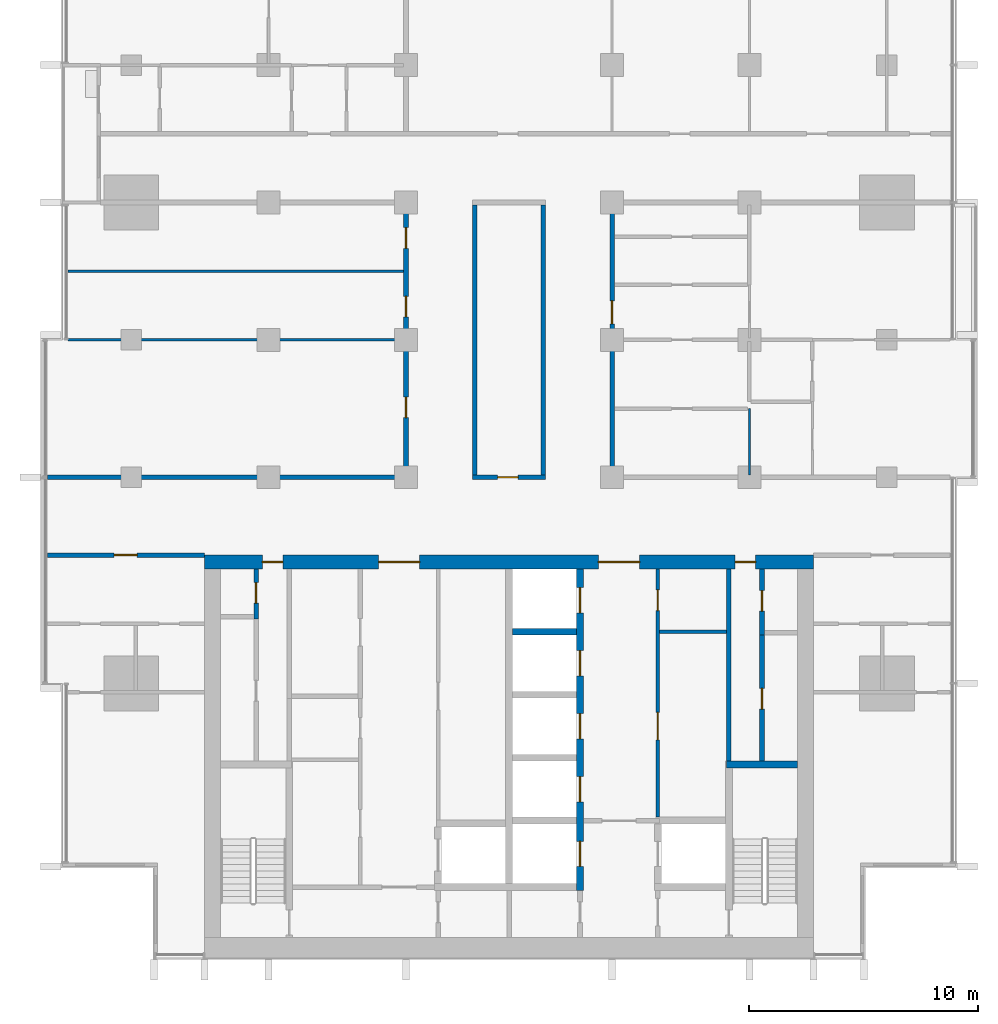
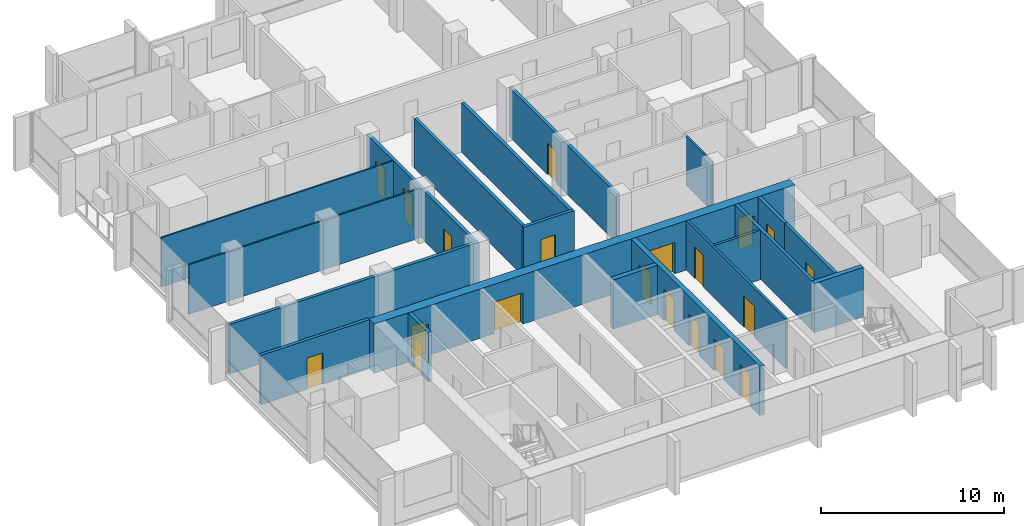
# One storey, part 8 of 16: 20 doors, 20 walls, 20 openings.
"""IFC4 building model written with IfcOpenShell, lengths in metres."""

from ifc_helpers import new_model, si_unit, direction, frame, frame_2d, origin, place, context, subcontext, project, spatial, rectangle, extrude, material, layer, layer_set, type_object, element, fill, save


model = new_model("IFC4")

# Units and contexts
model_context = context("Model", 3, precision=1e-05, world=origin(), true_north=direction((0.0, 1.0)))
body_context = subcontext(model_context, "Body", "Model", "MODEL_VIEW")
ifc_project = project(units=[si_unit("LENGTHUNIT", "METRE"), si_unit("AREAUNIT", "SQUARE_METRE"), si_unit("VOLUMEUNIT", "CUBIC_METRE"), si_unit("PLANEANGLEUNIT", "RADIAN"), si_unit("MASSUNIT", "GRAM", prefix="KILO")], contexts=[model_context])

# Site, building, storey
site_placement = place(None, origin())
site = spatial("IfcSite", under=ifc_project, at=site_placement, CompositionType="ELEMENT")
building_placement = place(site_placement, origin())
building = spatial("IfcBuilding", under=site, at=building_placement, Name="Finial Court Residences", CompositionType="ELEMENT")
storey_placement = place(building_placement, frame((0.0, 0.0, 185.300048828125)))
storey = spatial("IfcBuildingStorey", under=building, at=storey_placement, Name="L46", CompositionType="ELEMENT", Elevation=185.300048828125)

# Wall, openings, doors
ifc_material_1 = material(Name="Concrete C70/85", Category="concrete")
ifc_layer_1 = layer(ifc_material_1, 0.60009765625)
ifc_layer_set_1 = layer_set([ifc_layer_1], Name="Core outer wall 600 Concrete C70/85")
wall_type_1 = type_object("IfcWallType", Name="Core outer wall 600 Concrete C70/85", PredefinedType="SHEAR", material=ifc_layer_set_1)
wall_1_placement = place(storey_placement, frame((-13.300048828125, -8.199951171875, 0.0), z_axis=(0.0, 0.0, 1.0), x_axis=(1.0, 0.0, 0.0)))
wall_1 = element("IfcWall", 1, at=wall_1_placement, inside=storey, type_object=wall_type_1, Name="Core outer wall L46-02", PredefinedType="SHEAR", context=body_context, shape_type="SweptSolid", body=[
    extrude(rectangle(XDim=26.60009765625, YDim=0.60009765625, at=frame_2d((13.300048828125, 0.0))), origin(), (0.0, 0.0, 1.0), 3.300048828125),
])
opening_1_placement = place(wall_1_placement, frame((7.60009765625, 0.0, 0.0)))
opening_1 = element("IfcOpeningElement", 2, at=opening_1_placement, cuts=wall_1, Name="Opening L46-C04", PredefinedType="OPENING", context=body_context, shape_type="SweptSolid", body=[
    extrude(rectangle(XDim=1.800048828125, YDim=2.10009765625, at=frame_2d((0.89990234375, 1.050048828125))), frame((0.0, 0.31005859375, 0.0), z_axis=(0.0, -1.0, 0.0), x_axis=(1.0, 0.0, 0.0)), (0.0, 0.0, 1.0), 0.6201171875),
])
opening_2_placement = place(wall_1_placement, frame((17.199951171875, 0.0, 0.0)))
opening_2 = element("IfcOpeningElement", 3, at=opening_2_placement, cuts=wall_1, Name="Opening L46-C05", PredefinedType="OPENING", context=body_context, shape_type="SweptSolid", body=[
    extrude(rectangle(XDim=1.800048828125, YDim=2.10009765625, at=frame_2d((0.89990234375, 1.050048828125))), frame((0.0, 0.31005859375, 0.0), z_axis=(0.0, -1.0, 0.0), x_axis=(1.0, 0.0, 0.0)), (0.0, 0.0, 1.0), 0.6201171875),
])
opening_3_placement = place(wall_1_placement, frame((2.52490234375, 0.0, 0.0)))
opening_3 = element("IfcOpeningElement", 4, at=opening_3_placement, cuts=wall_1, Name="Opening L46-C10", PredefinedType="OPENING", context=body_context, shape_type="SweptSolid", body=[
    extrude(rectangle(XDim=0.89990234375, YDim=2.10009765625, at=frame_2d((0.449951171875, 1.050048828125))), frame((0.0, 0.31005859375, 0.0), z_axis=(0.0, -1.0, 0.0), x_axis=(1.0, 0.0, 0.0)), (0.0, 0.0, 1.0), 0.6201171875),
])
opening_4_placement = place(wall_1_placement, frame((23.175048828125, 0.0, 0.0)))
opening_4 = element("IfcOpeningElement", 5, at=opening_4_placement, cuts=wall_1, Name="Opening L46-C11", PredefinedType="OPENING", context=body_context, shape_type="SweptSolid", body=[
    extrude(rectangle(XDim=0.89990234375, YDim=2.10009765625, at=frame_2d((0.449951171875, 1.050048828125))), frame((0.0, 0.31005859375, 0.0), z_axis=(0.0, -1.0, 0.0), x_axis=(1.0, 0.0, 0.0)), (0.0, 0.0, 1.0), 0.6201171875),
])
ifc_material_2 = material(Name="Steel fire door", Category="steel")
door_type_1 = type_object("IfcDoorType", Name="Lift lobby door 1800 x 2100 EI 60", OperationType="DOUBLE_DOOR_SINGLE_SWING", PredefinedType="DOOR", material=ifc_material_2)
door_1_placement = place(opening_1_placement, origin())
door_1 = element("IfcDoor", 6, at=door_1_placement, inside=storey, type_object=door_type_1, Name="Lift lobby door L46-C04", OperationType="DOUBLE_DOOR_SINGLE_SWING", OverallHeight=2.10009765625, OverallWidth=1.800048828125, PredefinedType="DOOR", context=body_context, shape_type="SweptSolid", body=[
    extrude(rectangle(XDim=1.800048828125, YDim=2.10009765625, at=frame_2d((0.89990234375, 1.050048828125))), frame((0.0, 0.02490234375, 0.0), z_axis=(0.0, -1.0, 0.0), x_axis=(1.0, 0.0, 0.0)), (0.0, 0.0, 1.0), 0.050048828125),
])
fill(opening_1, door_1)
door_2_placement = place(opening_2_placement, origin())
door_2 = element("IfcDoor", 7, at=door_2_placement, inside=storey, type_object=door_type_1, Name="Lift lobby door L46-C05", OperationType="DOUBLE_DOOR_SINGLE_SWING", OverallHeight=2.10009765625, OverallWidth=1.800048828125, PredefinedType="DOOR", context=body_context, shape_type="SweptSolid", body=[
    extrude(rectangle(XDim=1.800048828125, YDim=2.10009765625, at=frame_2d((0.89990234375, 1.050048828125))), frame((0.0, 0.02490234375, 0.0), z_axis=(0.0, -1.0, 0.0), x_axis=(1.0, 0.0, 0.0)), (0.0, 0.0, 1.0), 0.050048828125),
])
fill(opening_2, door_2)
door_type_2 = type_object("IfcDoorType", Name="Riser room door 900 x 2100 EI 90", OperationType="NOTDEFINED", PredefinedType="DOOR", material=ifc_material_2)
door_3_placement = place(opening_3_placement, origin())
door_3 = element("IfcDoor", 8, at=door_3_placement, inside=storey, type_object=door_type_2, Name="Riser room door L46-C10", OperationType="SINGLE_SWING_RIGHT", OverallHeight=2.10009765625, OverallWidth=0.89990234375, PredefinedType="DOOR", context=body_context, shape_type="SweptSolid", body=[
    extrude(rectangle(XDim=0.89990234375, YDim=2.10009765625, at=frame_2d((0.449951171875, 1.050048828125))), frame((0.0, 0.02490234375, 0.0), z_axis=(0.0, -1.0, 0.0), x_axis=(1.0, 0.0, 0.0)), (0.0, 0.0, 1.0), 0.050048828125),
])
fill(opening_3, door_3)
door_4_placement = place(opening_4_placement, origin())
door_4 = element("IfcDoor", 9, at=door_4_placement, inside=storey, type_object=door_type_2, Name="Riser room door L46-C11", OperationType="SINGLE_SWING_LEFT", OverallHeight=2.10009765625, OverallWidth=0.89990234375, PredefinedType="DOOR", context=body_context, shape_type="SweptSolid", body=[
    extrude(rectangle(XDim=0.89990234375, YDim=2.10009765625, at=frame_2d((0.449951171875, 1.050048828125))), frame((0.0, 0.02490234375, 0.0), z_axis=(0.0, -1.0, 0.0), x_axis=(1.0, 0.0, 0.0)), (0.0, 0.0, 1.0), 0.050048828125),
])
fill(opening_4, door_4)

# Wall
ifc_material_3 = material(Name="Fire-rated gypsum board partition")
ifc_layer_2 = layer(ifc_material_3, 0.14990234375)
ifc_layer_set_2 = layer_set([ifc_layer_2], Name="Core room partition 150 EI 60")
wall_type_2 = type_object("IfcWallType", Name="Core room partition 150 EI 60", PredefinedType="PARTITIONING", material=ifc_layer_set_2)
wall_2_placement = place(storey_placement, frame((6.574951171875, -11.25, 0.0), z_axis=(0.0, 0.0, 1.0), x_axis=(1.0, 0.0, 0.0)))
element("IfcWall", 10, at=wall_2_placement, inside=storey, type_object=wall_type_2, Name="Core partition L46-16", PredefinedType="PARTITIONING", context=body_context, shape_type="SweptSolid", body=[
    extrude(rectangle(XDim=2.925048828125, YDim=0.14990234375, at=frame_2d((1.46240234375, 0.0))), origin(), (0.0, 0.0, 1.0), 3.300048828125),
])

# Wall, openings, doors
wall_3_placement = place(storey_placement, frame((6.5, -8.5, 0.0), z_axis=(0.0, 0.0, 1.0), x_axis=(0.0, -1.0, 0.0)))
wall_3 = element("IfcWall", 11, at=wall_3_placement, inside=storey, type_object=wall_type_2, Name="Core partition L46-34", PredefinedType="PARTITIONING", context=body_context, shape_type="SweptSolid", body=[
    extrude(rectangle(XDim=10.85009765625, YDim=0.14990234375, at=frame_2d((5.425048828125, 0.0))), origin(), (0.0, 0.0, 1.0), 3.300048828125),
])
opening_5_placement = place(wall_3_placement, frame((6.27490234375, 0.0, 0.0)))
opening_5 = element("IfcOpeningElement", 12, at=opening_5_placement, cuts=wall_3, Name="Opening L46-C18", PredefinedType="OPENING", context=body_context, shape_type="SweptSolid", body=[
    extrude(rectangle(XDim=1.199951171875, YDim=2.10009765625, at=frame_2d((0.60009765625, 1.050048828125))), frame((0.0, 0.0849609375, 0.0), z_axis=(0.0, -1.0, 0.0), x_axis=(1.0, 0.0, 0.0)), (0.0, 0.0, 1.0), 0.169921875),
])
opening_6_placement = place(wall_3_placement, frame((0.925048828125, 0.0, 0.0)))
opening_6 = element("IfcOpeningElement", 13, at=opening_6_placement, cuts=wall_3, Name="Opening L46-C19", PredefinedType="OPENING", context=body_context, shape_type="SweptSolid", body=[
    extrude(rectangle(XDim=0.89990234375, YDim=2.10009765625, at=frame_2d((0.449951171875, 1.050048828125))), frame((0.0, 0.0849609375, 0.0), z_axis=(0.0, -1.0, 0.0), x_axis=(1.0, 0.0, 0.0)), (0.0, 0.0, 1.0), 0.169921875),
])
door_type_3 = type_object("IfcDoorType", Name="Core room door 1200 x 2100 EI 60", OperationType="NOTDEFINED", PredefinedType="DOOR", material=ifc_material_2)
door_5_placement = place(opening_5_placement, origin())
door_5 = element("IfcDoor", 14, at=door_5_placement, inside=storey, type_object=door_type_3, Name="Core room door L46-C18", OperationType="SINGLE_SWING_RIGHT", OverallHeight=2.10009765625, OverallWidth=1.199951171875, PredefinedType="DOOR", context=body_context, shape_type="SweptSolid", body=[
    extrude(rectangle(XDim=1.199951171875, YDim=2.10009765625, at=frame_2d((0.60009765625, 1.050048828125))), frame((0.0, 0.02490234375, 0.0), z_axis=(0.0, -1.0, 0.0), x_axis=(1.0, 0.0, 0.0)), (0.0, 0.0, 1.0), 0.050048828125),
])
fill(opening_5, door_5)
door_type_4 = type_object("IfcDoorType", Name="Core room door 900 x 2100 EI 60", OperationType="NOTDEFINED", PredefinedType="DOOR", material=ifc_material_2)
door_6_placement = place(opening_6_placement, origin())
door_6 = element("IfcDoor", 15, at=door_6_placement, inside=storey, type_object=door_type_4, Name="Core room door L46-C19", OperationType="SINGLE_SWING_RIGHT", OverallHeight=2.10009765625, OverallWidth=0.89990234375, PredefinedType="DOOR", context=body_context, shape_type="SweptSolid", body=[
    extrude(rectangle(XDim=0.89990234375, YDim=2.10009765625, at=frame_2d((0.449951171875, 1.050048828125))), frame((0.0, 0.02490234375, 0.0), z_axis=(0.0, -1.0, 0.0), x_axis=(1.0, 0.0, 0.0)), (0.0, 0.0, 1.0), 0.050048828125),
])
fill(opening_6, door_6)

# Wall, opening, door
ifc_material_4 = material(Name="Gypsum board")
ifc_layer_3 = layer(ifc_material_4, 0.02490234375)
ifc_material_5 = material(Name="Acoustic mineral wool in double frame")
ifc_layer_4 = layer(ifc_material_5, 0.14990234375)
ifc_layer_5 = layer(ifc_material_4, 0.02490234375)
ifc_layer_set_3 = layer_set([ifc_layer_3, ifc_layer_4, ifc_layer_5], Name="Corridor wall 200, 1 hour")
wall_type_3 = type_object("IfcWallType", Name="Corridor wall 200, 1 hour", PredefinedType="PARTITIONING", material=ifc_layer_set_3)
wall_4_placement = place(storey_placement, frame((-20.16259765625, -7.89990234375, 0.0), z_axis=(0.0, 0.0, 1.0), x_axis=(1.0, 0.0, 0.0)))
wall_4 = element("IfcWall", 16, at=wall_4_placement, inside=storey, type_object=wall_type_3, Name="Partition L46-004", PredefinedType="PARTITIONING", context=body_context, shape_type="SweptSolid", body=[
    extrude(rectangle(XDim=6.862548828125, YDim=0.199951171875, at=frame_2d((3.43115234375, 0.0))), origin(), (0.0, 0.0, 1.0), 3.300048828125),
])
opening_7_placement = place(wall_4_placement, frame((2.9130859375, 0.0, 0.0)))
opening_7 = element("IfcOpeningElement", 17, at=opening_7_placement, cuts=wall_4, Name="Opening L46-D007", PredefinedType="OPENING", context=body_context, shape_type="SweptSolid", body=[
    extrude(rectangle(XDim=1.0, YDim=2.10009765625, at=frame_2d((0.5, 1.050048828125))), frame((0.0, 0.10986328125, 0.0), z_axis=(0.0, -1.0, 0.0), x_axis=(1.0, 0.0, 0.0)), (0.0, 0.0, 1.0), 0.219970703125),
])
ifc_material_6 = material(Name="Timber door leaf in hollow metal frame", Category="wood")
door_type_5 = type_object("IfcDoorType", Name="Fire door set 1000 x 2100, 30 minutes", OperationType="SINGLE_SWING_LEFT", PredefinedType="DOOR", material=ifc_material_6)
door_7_placement = place(opening_7_placement, origin())
door_7 = element("IfcDoor", 18, at=door_7_placement, inside=storey, type_object=door_type_5, Name="Door L46-D007", OperationType="SINGLE_SWING_LEFT", OverallHeight=2.10009765625, OverallWidth=1.0, PredefinedType="DOOR", context=body_context, shape_type="SweptSolid", body=[
    extrude(rectangle(XDim=1.0, YDim=2.10009765625, at=frame_2d((0.5, 1.050048828125))), frame((0.0, 0.02490234375, 0.0), z_axis=(0.0, -1.0, 0.0), x_axis=(1.0, 0.0, 0.0)), (0.0, 0.0, 1.0), 0.050048828125),
])
fill(opening_7, door_7)

# Wall
wall_5_placement = place(storey_placement, frame((-20.16259765625, -4.5, 0.0), z_axis=(0.0, 0.0, 1.0), x_axis=(1.0, 0.0, 0.0)))
element("IfcWall", 19, at=wall_5_placement, inside=storey, type_object=wall_type_3, Name="Partition L46-006", PredefinedType="PARTITIONING", context=body_context, shape_type="SweptSolid", body=[
    extrude(rectangle(XDim=15.7626953125, YDim=0.199951171875, at=frame_2d((7.88134765625, 0.0))), origin(), (0.0, 0.0, 1.0), 3.300048828125),
])

# Wall, opening, door
wall_6_placement = place(storey_placement, frame((-1.60009765625, -4.5, 0.0), z_axis=(0.0, 0.0, 1.0), x_axis=(1.0, 0.0, 0.0)))
wall_6 = element("IfcWall", 20, at=wall_6_placement, inside=storey, type_object=wall_type_3, Name="Partition L46-007", PredefinedType="PARTITIONING", context=body_context, shape_type="SweptSolid", body=[
    extrude(rectangle(XDim=3.2001953125, YDim=0.199951171875, at=frame_2d((1.60009765625, 0.0))), origin(), (0.0, 0.0, 1.0), 3.300048828125),
])
opening_8_placement = place(wall_6_placement, frame((1.10009765625, 0.0, 0.0)))
opening_8 = element("IfcOpeningElement", 21, at=opening_8_placement, cuts=wall_6, Name="Opening L46-D009", PredefinedType="OPENING", context=body_context, shape_type="SweptSolid", body=[
    extrude(rectangle(XDim=0.89990234375, YDim=2.10009765625, at=frame_2d((0.449951171875, 1.050048828125))), frame((0.0, 0.10986328125, 0.0), z_axis=(0.0, -1.0, 0.0), x_axis=(1.0, 0.0, 0.0)), (0.0, 0.0, 1.0), 0.219970703125),
])
door_type_6 = type_object("IfcDoorType", Name="Fire door set 900 x 2100, 30 minutes", OperationType="SINGLE_SWING_LEFT", PredefinedType="DOOR", material=ifc_material_6)
door_8_placement = place(opening_8_placement, origin())
door_8 = element("IfcDoor", 22, at=door_8_placement, inside=storey, type_object=door_type_6, Name="Door L46-D009", OperationType="SINGLE_SWING_RIGHT", OverallHeight=2.10009765625, OverallWidth=0.89990234375, PredefinedType="DOOR", context=body_context, shape_type="SweptSolid", body=[
    extrude(rectangle(XDim=0.89990234375, YDim=2.10009765625, at=frame_2d((0.449951171875, 1.050048828125))), frame((0.0, 0.02490234375, 0.0), z_axis=(0.0, -1.0, 0.0), x_axis=(1.0, 0.0, 0.0)), (0.0, 0.0, 1.0), 0.050048828125),
])
fill(opening_8, door_8)

# Wall, openings, doors
wall_7_placement = place(storey_placement, frame((-4.5, -4.39990234375, 0.0), z_axis=(0.0, 0.0, 1.0), x_axis=(0.0, 1.0, 0.0)))
wall_7 = element("IfcWall", 23, at=wall_7_placement, inside=storey, type_object=wall_type_3, Name="Partition L46-031", PredefinedType="PARTITIONING", context=body_context, shape_type="SweptSolid", body=[
    extrude(rectangle(XDim=11.7998046875, YDim=0.199951171875, at=frame_2d((5.89990234375, 0.0))), origin(), (0.0, 0.0, 1.0), 3.300048828125),
])
opening_9_placement = place(wall_7_placement, frame((2.5, 0.0, 0.0)))
opening_9 = element("IfcOpeningElement", 24, at=opening_9_placement, cuts=wall_7, Name="Opening L46-D026", PredefinedType="OPENING", context=body_context, shape_type="SweptSolid", body=[
    extrude(rectangle(XDim=0.89990234375, YDim=2.10009765625, at=frame_2d((0.449951171875, 1.050048828125))), frame((0.0, 0.10986328125, 0.0), z_axis=(0.0, -1.0, 0.0), x_axis=(1.0, 0.0, 0.0)), (0.0, 0.0, 1.0), 0.219970703125),
])
opening_10_placement = place(wall_7_placement, frame((6.89990234375, 0.0, 0.0)))
opening_10 = element("IfcOpeningElement", 25, at=opening_10_placement, cuts=wall_7, Name="Opening L46-D027", PredefinedType="OPENING", context=body_context, shape_type="SweptSolid", body=[
    extrude(rectangle(XDim=0.89990234375, YDim=2.10009765625, at=frame_2d((0.449951171875, 1.050048828125))), frame((0.0, 0.10986328125, 0.0), z_axis=(0.0, -1.0, 0.0), x_axis=(1.0, 0.0, 0.0)), (0.0, 0.0, 1.0), 0.219970703125),
])
opening_11_placement = place(wall_7_placement, frame((9.89990234375, 0.0, 0.0)))
opening_11 = element("IfcOpeningElement", 26, at=opening_11_placement, cuts=wall_7, Name="Opening L46-D028", PredefinedType="OPENING", context=body_context, shape_type="SweptSolid", body=[
    extrude(rectangle(XDim=0.89990234375, YDim=2.10009765625, at=frame_2d((0.449951171875, 1.050048828125))), frame((0.0, 0.10986328125, 0.0), z_axis=(0.0, -1.0, 0.0), x_axis=(1.0, 0.0, 0.0)), (0.0, 0.0, 1.0), 0.219970703125),
])
door_9_placement = place(opening_9_placement, origin())
door_9 = element("IfcDoor", 27, at=door_9_placement, inside=storey, type_object=door_type_6, Name="Door L46-D026", OperationType="SINGLE_SWING_RIGHT", OverallHeight=2.10009765625, OverallWidth=0.89990234375, PredefinedType="DOOR", context=body_context, shape_type="SweptSolid", body=[
    extrude(rectangle(XDim=0.89990234375, YDim=2.10009765625, at=frame_2d((0.449951171875, 1.050048828125))), frame((0.0, 0.02490234375, 0.0), z_axis=(0.0, -1.0, 0.0), x_axis=(1.0, 0.0, 0.0)), (0.0, 0.0, 1.0), 0.050048828125),
])
fill(opening_9, door_9)
door_10_placement = place(opening_10_placement, origin())
door_10 = element("IfcDoor", 28, at=door_10_placement, inside=storey, type_object=door_type_6, Name="Door L46-D027", OperationType="SINGLE_SWING_LEFT", OverallHeight=2.10009765625, OverallWidth=0.89990234375, PredefinedType="DOOR", context=body_context, shape_type="SweptSolid", body=[
    extrude(rectangle(XDim=0.89990234375, YDim=2.10009765625, at=frame_2d((0.449951171875, 1.050048828125))), frame((0.0, 0.02490234375, 0.0), z_axis=(0.0, -1.0, 0.0), x_axis=(1.0, 0.0, 0.0)), (0.0, 0.0, 1.0), 0.050048828125),
])
fill(opening_10, door_10)
door_11_placement = place(opening_11_placement, origin())
door_11 = element("IfcDoor", 29, at=door_11_placement, inside=storey, type_object=door_type_6, Name="Door L46-D028", OperationType="SINGLE_SWING_LEFT", OverallHeight=2.10009765625, OverallWidth=0.89990234375, PredefinedType="DOOR", context=body_context, shape_type="SweptSolid", body=[
    extrude(rectangle(XDim=0.89990234375, YDim=2.10009765625, at=frame_2d((0.449951171875, 1.050048828125))), frame((0.0, 0.02490234375, 0.0), z_axis=(0.0, -1.0, 0.0), x_axis=(1.0, 0.0, 0.0)), (0.0, 0.0, 1.0), 0.050048828125),
])
fill(opening_11, door_11)

# Walls
for number, where, z_axis, x_axis, name in (
    (30, (-1.5, -4.39990234375, 0.0), (0.0, 0.0, 1.0), (0.0, 1.0, 0.0), "Partition L46-033"),
    (31, (1.5, -4.39990234375, 0.0), (0.0, 0.0, 1.0), (0.0, 1.0, 0.0), "Partition L46-034"),
):
    element("IfcWall", number, at=place(storey_placement, frame(where, z_axis=z_axis, x_axis=x_axis)), inside=storey, type_object=wall_type_3, Name=name, PredefinedType="PARTITIONING", context=body_context, shape_type="SweptSolid", body=[
        extrude(rectangle(XDim=11.7998046875, YDim=0.199951171875, at=frame_2d((5.89990234375, 0.0))), origin(), (0.0, 0.0, 1.0), 3.300048828125),
    ])

# Wall, opening, door
wall_8_placement = place(storey_placement, frame((4.5, -4.39990234375, 0.0), z_axis=(0.0, 0.0, 1.0), x_axis=(0.0, 1.0, 0.0)))
wall_8 = element("IfcWall", 32, at=wall_8_placement, inside=storey, type_object=wall_type_3, Name="Partition L46-035", PredefinedType="PARTITIONING", context=body_context, shape_type="SweptSolid", body=[
    extrude(rectangle(XDim=11.7998046875, YDim=0.199951171875, at=frame_2d((5.89990234375, 0.0))), origin(), (0.0, 0.0, 1.0), 3.300048828125),
])
opening_12_placement = place(wall_8_placement, frame((6.60009765625, 0.0, 0.0)))
opening_12 = element("IfcOpeningElement", 33, at=opening_12_placement, cuts=wall_8, Name="Opening L46-D029", PredefinedType="OPENING", context=body_context, shape_type="SweptSolid", body=[
    extrude(rectangle(XDim=1.0, YDim=2.10009765625, at=frame_2d((0.5, 1.050048828125))), frame((0.0, 0.10986328125, 0.0), z_axis=(0.0, -1.0, 0.0), x_axis=(1.0, 0.0, 0.0)), (0.0, 0.0, 1.0), 0.219970703125),
])
door_12_placement = place(opening_12_placement, origin())
door_12 = element("IfcDoor", 34, at=door_12_placement, inside=storey, type_object=door_type_5, Name="Door L46-D029", OperationType="SINGLE_SWING_RIGHT", OverallHeight=2.10009765625, OverallWidth=1.0, PredefinedType="DOOR", context=body_context, shape_type="SweptSolid", body=[
    extrude(rectangle(XDim=1.0, YDim=2.10009765625, at=frame_2d((0.5, 1.050048828125))), frame((0.0, 0.02490234375, 0.0), z_axis=(0.0, -1.0, 0.0), x_axis=(1.0, 0.0, 0.0)), (0.0, 0.0, 1.0), 0.050048828125),
])
fill(opening_12, door_12)

# Walls
ifc_layer_6 = layer(ifc_material_4, 0.012451171875)
ifc_material_7 = material(Name="Mineral wool in light-gauge frame")
ifc_layer_7 = layer(ifc_material_7, 0.074951171875)
ifc_layer_8 = layer(ifc_material_4, 0.012451171875)
ifc_layer_set_4 = layer_set([ifc_layer_6, ifc_layer_7, ifc_layer_8], Name="Gypsum board partition 100")
wall_type_4 = type_object("IfcWallType", Name="Gypsum board partition 100", PredefinedType="PARTITIONING", material=ifc_layer_set_4)
for number, where, z_axis, x_axis, name in (
    (35, (-19.262451171875, 1.5, 0.0), (0.0, 0.0, 1.0), (1.0, 0.0, 0.0), "Partition L46-011"),
    (36, (-19.262451171875, 4.5, 0.0), (0.0, 0.0, 1.0), (1.0, 0.0, 0.0), "Partition L46-015"),
):
    element("IfcWall", number, at=place(storey_placement, frame(where, z_axis=z_axis, x_axis=x_axis)), inside=storey, type_object=wall_type_4, Name=name, PredefinedType="PARTITIONING", context=body_context, shape_type="SweptSolid", body=[
        extrude(rectangle(XDim=14.662353515625, YDim=0.10009765625, at=frame_2d((7.3310546875, 0.0))), origin(), (0.0, 0.0, 1.0), 3.300048828125),
    ])
wall_9_placement = place(storey_placement, frame((10.5, -4.39990234375, 0.0), z_axis=(0.0, 0.0, 1.0), x_axis=(0.0, 1.0, 0.0)))
element("IfcWall", 37, at=wall_9_placement, inside=storey, type_object=wall_type_4, Name="Partition L46-037", PredefinedType="PARTITIONING", context=body_context, shape_type="SweptSolid", body=[
    extrude(rectangle(XDim=2.89990234375, YDim=0.10009765625, at=frame_2d((1.449951171875, 0.0))), origin(), (0.0, 0.0, 1.0), 3.300048828125),
])
ifc_layer_9 = layer(ifc_material_1, 0.300048828125)
ifc_layer_set_5 = layer_set([ifc_layer_9], Name="Lift shaft and stair wall 300 Concrete C70/85")
wall_type_5 = type_object("IfcWallType", Name="Lift shaft and stair wall 300 Concrete C70/85", PredefinedType="SHEAR", material=ifc_layer_set_5)
wall_10_placement = place(storey_placement, frame((9.5, -17.050048828125, 0.0), z_axis=(0.0, 0.0, 1.0), x_axis=(1.0, 0.0, 0.0)))
element("IfcWall", 38, at=wall_10_placement, inside=storey, type_object=wall_type_5, Name="Core wall L46-09", PredefinedType="SHEAR", context=body_context, shape_type="SweptSolid", body=[
    extrude(rectangle(XDim=3.10009765625, YDim=0.300048828125, at=frame_2d((1.550048828125, 0.0))), origin(), (0.0, 0.0, 1.0), 3.300048828125),
])
wall_11_placement = place(storey_placement, frame((0.14990234375, -11.25, 0.0), z_axis=(0.0, 0.0, 1.0), x_axis=(1.0, 0.0, 0.0)))
element("IfcWall", 39, at=wall_11_placement, inside=storey, type_object=wall_type_5, Name="Core wall L46-15", PredefinedType="SHEAR", context=body_context, shape_type="SweptSolid", body=[
    extrude(rectangle(XDim=2.800048828125, YDim=0.300048828125, at=frame_2d((1.39990234375, 0.0))), origin(), (0.0, 0.0, 1.0), 3.300048828125),
])

# Wall, openings, doors
wall_12_placement = place(storey_placement, frame((3.10009765625, -22.550048828125, 0.0), z_axis=(0.0, 0.0, 1.0), x_axis=(0.0, 1.0, 0.0)))
wall_12 = element("IfcWall", 40, at=wall_12_placement, inside=storey, type_object=wall_type_5, Name="Core wall L46-31", PredefinedType="SHEAR", context=body_context, shape_type="SweptSolid", body=[
    extrude(rectangle(XDim=14.050048828125, YDim=0.300048828125, at=frame_2d((7.02490234375, 0.0))), origin(), (0.0, 0.0, 1.0), 3.300048828125),
])
opening_13_placement = place(wall_12_placement, frame((1.050048828125, 0.0, 0.0)))
opening_13 = element("IfcOpeningElement", 41, at=opening_13_placement, cuts=wall_12, Name="Opening L46-LD01", PredefinedType="OPENING", context=body_context, shape_type="SweptSolid", body=[
    extrude(rectangle(XDim=1.10009765625, YDim=2.10009765625, at=frame_2d((0.550048828125, 1.050048828125))), frame((0.0, 0.159912109375, 0.0), z_axis=(0.0, -1.0, 0.0), x_axis=(1.0, 0.0, 0.0)), (0.0, 0.0, 1.0), 0.320068359375),
])
opening_14_placement = place(wall_12_placement, frame((3.875, 0.0, 0.0)))
opening_14 = element("IfcOpeningElement", 42, at=opening_14_placement, cuts=wall_12, Name="Opening L46-LD03", PredefinedType="OPENING", context=body_context, shape_type="SweptSolid", body=[
    extrude(rectangle(XDim=1.10009765625, YDim=2.10009765625, at=frame_2d((0.550048828125, 1.050048828125))), frame((0.0, 0.159912109375, 0.0), z_axis=(0.0, -1.0, 0.0), x_axis=(1.0, 0.0, 0.0)), (0.0, 0.0, 1.0), 0.320068359375),
])
opening_15_placement = place(wall_12_placement, frame((6.625, 0.0, 0.0)))
opening_15 = element("IfcOpeningElement", 43, at=opening_15_placement, cuts=wall_12, Name="Opening L46-LD04", PredefinedType="OPENING", context=body_context, shape_type="SweptSolid", body=[
    extrude(rectangle(XDim=1.10009765625, YDim=2.10009765625, at=frame_2d((0.550048828125, 1.050048828125))), frame((0.0, 0.159912109375, 0.0), z_axis=(0.0, -1.0, 0.0), x_axis=(1.0, 0.0, 0.0)), (0.0, 0.0, 1.0), 0.320068359375),
])
opening_16_placement = place(wall_12_placement, frame((9.375, 0.0, 0.0)))
opening_16 = element("IfcOpeningElement", 44, at=opening_16_placement, cuts=wall_12, Name="Opening L46-LD05", PredefinedType="OPENING", context=body_context, shape_type="SweptSolid", body=[
    extrude(rectangle(XDim=1.10009765625, YDim=2.10009765625, at=frame_2d((0.550048828125, 1.050048828125))), frame((0.0, 0.159912109375, 0.0), z_axis=(0.0, -1.0, 0.0), x_axis=(1.0, 0.0, 0.0)), (0.0, 0.0, 1.0), 0.320068359375),
])
opening_17_placement = place(wall_12_placement, frame((12.125, 0.0, 0.0)))
opening_17 = element("IfcOpeningElement", 45, at=opening_17_placement, cuts=wall_12, Name="Opening L46-LD06", PredefinedType="OPENING", context=body_context, shape_type="SweptSolid", body=[
    extrude(rectangle(XDim=1.10009765625, YDim=2.10009765625, at=frame_2d((0.550048828125, 1.050048828125))), frame((0.0, 0.159912109375, 0.0), z_axis=(0.0, -1.0, 0.0), x_axis=(1.0, 0.0, 0.0)), (0.0, 0.0, 1.0), 0.320068359375),
])
ifc_material_8 = material(Name="Stainless steel lift door", Category="steel")
door_type_7 = type_object("IfcDoorType", Name="Lift landing door 1100 x 2100 EI 90", OperationType="DOUBLE_DOOR_SLIDING", PredefinedType="DOOR", material=ifc_material_8)
door_13_placement = place(opening_13_placement, origin())
door_13 = element("IfcDoor", 46, at=door_13_placement, inside=storey, type_object=door_type_7, Name="Lift landing door FF1 L46", OperationType="DOUBLE_DOOR_SLIDING", OverallHeight=2.10009765625, OverallWidth=1.10009765625, PredefinedType="DOOR", context=body_context, shape_type="SweptSolid", body=[
    extrude(rectangle(XDim=1.10009765625, YDim=2.10009765625, at=frame_2d((0.550048828125, 1.050048828125))), frame((0.0, 0.02490234375, 0.0), z_axis=(0.0, -1.0, 0.0), x_axis=(1.0, 0.0, 0.0)), (0.0, 0.0, 1.0), 0.050048828125),
])
fill(opening_13, door_13)
door_14_placement = place(opening_14_placement, origin())
door_14 = element("IfcDoor", 47, at=door_14_placement, inside=storey, type_object=door_type_7, Name="Lift landing door HR1 L46", OperationType="DOUBLE_DOOR_SLIDING", OverallHeight=2.10009765625, OverallWidth=1.10009765625, PredefinedType="DOOR", context=body_context, shape_type="SweptSolid", body=[
    extrude(rectangle(XDim=1.10009765625, YDim=2.10009765625, at=frame_2d((0.550048828125, 1.050048828125))), frame((0.0, 0.02490234375, 0.0), z_axis=(0.0, -1.0, 0.0), x_axis=(1.0, 0.0, 0.0)), (0.0, 0.0, 1.0), 0.050048828125),
])
fill(opening_14, door_14)
door_15_placement = place(opening_15_placement, origin())
door_15 = element("IfcDoor", 48, at=door_15_placement, inside=storey, type_object=door_type_7, Name="Lift landing door HR2 L46", OperationType="DOUBLE_DOOR_SLIDING", OverallHeight=2.10009765625, OverallWidth=1.10009765625, PredefinedType="DOOR", context=body_context, shape_type="SweptSolid", body=[
    extrude(rectangle(XDim=1.10009765625, YDim=2.10009765625, at=frame_2d((0.550048828125, 1.050048828125))), frame((0.0, 0.02490234375, 0.0), z_axis=(0.0, -1.0, 0.0), x_axis=(1.0, 0.0, 0.0)), (0.0, 0.0, 1.0), 0.050048828125),
])
fill(opening_15, door_15)
door_16_placement = place(opening_16_placement, origin())
door_16 = element("IfcDoor", 49, at=door_16_placement, inside=storey, type_object=door_type_7, Name="Lift landing door HR3 L46", OperationType="DOUBLE_DOOR_SLIDING", OverallHeight=2.10009765625, OverallWidth=1.10009765625, PredefinedType="DOOR", context=body_context, shape_type="SweptSolid", body=[
    extrude(rectangle(XDim=1.10009765625, YDim=2.10009765625, at=frame_2d((0.550048828125, 1.050048828125))), frame((0.0, 0.02490234375, 0.0), z_axis=(0.0, -1.0, 0.0), x_axis=(1.0, 0.0, 0.0)), (0.0, 0.0, 1.0), 0.050048828125),
])
fill(opening_16, door_16)
door_17_placement = place(opening_17_placement, origin())
door_17 = element("IfcDoor", 50, at=door_17_placement, inside=storey, type_object=door_type_7, Name="Lift landing door HR4 L46", OperationType="DOUBLE_DOOR_SLIDING", OverallHeight=2.10009765625, OverallWidth=1.10009765625, PredefinedType="DOOR", context=body_context, shape_type="SweptSolid", body=[
    extrude(rectangle(XDim=1.10009765625, YDim=2.10009765625, at=frame_2d((0.550048828125, 1.050048828125))), frame((0.0, 0.02490234375, 0.0), z_axis=(0.0, -1.0, 0.0), x_axis=(1.0, 0.0, 0.0)), (0.0, 0.0, 1.0), 0.050048828125),
])
fill(opening_17, door_17)

# Wall, opening, door
ifc_layer_10 = layer(ifc_material_3, 0.199951171875)
ifc_layer_set_6 = layer_set([ifc_layer_10], Name="Riser room wall 200 EI 120")
wall_type_6 = type_object("IfcWallType", Name="Riser room wall 200 EI 120", PredefinedType="PARTITIONING", material=ifc_layer_set_6)
wall_13_placement = place(storey_placement, frame((-11.050048828125, -10.699951171875, 0.0), z_axis=(0.0, 0.0, 1.0), x_axis=(0.0, 1.0, 0.0)))
wall_13 = element("IfcWall", 51, at=wall_13_placement, inside=storey, type_object=wall_type_6, Name="Core partition L46-19", PredefinedType="PARTITIONING", context=body_context, shape_type="SweptSolid", body=[
    extrude(rectangle(XDim=2.199951171875, YDim=0.199951171875, at=frame_2d((1.10009765625, 0.0))), origin(), (0.0, 0.0, 1.0), 3.300048828125),
])
opening_18_placement = place(wall_13_placement, frame((0.699951171875, 0.0, 0.0)))
opening_18 = element("IfcOpeningElement", 52, at=opening_18_placement, cuts=wall_13, Name="Opening L46-C07", PredefinedType="OPENING", context=body_context, shape_type="SweptSolid", body=[
    extrude(rectangle(XDim=0.89990234375, YDim=2.10009765625, at=frame_2d((0.449951171875, 1.050048828125))), frame((0.0, 0.10986328125, 0.0), z_axis=(0.0, -1.0, 0.0), x_axis=(1.0, 0.0, 0.0)), (0.0, 0.0, 1.0), 0.219970703125),
])
door_18_placement = place(opening_18_placement, origin())
door_18 = element("IfcDoor", 53, at=door_18_placement, inside=storey, type_object=door_type_2, Name="Riser room door L46-C07", OperationType="SINGLE_SWING_LEFT", OverallHeight=2.10009765625, OverallWidth=0.89990234375, PredefinedType="DOOR", context=body_context, shape_type="SweptSolid", body=[
    extrude(rectangle(XDim=0.89990234375, YDim=2.10009765625, at=frame_2d((0.449951171875, 1.050048828125))), frame((0.0, 0.02490234375, 0.0), z_axis=(0.0, -1.0, 0.0), x_axis=(1.0, 0.0, 0.0)), (0.0, 0.0, 1.0), 0.050048828125),
])
fill(opening_18, door_18)

wall_14_placement = place(storey_placement, frame((11.050048828125, -8.5, 0.0), z_axis=(0.0, 0.0, 1.0), x_axis=(0.0, -1.0, 0.0)))
wall_14 = element("IfcWall", 54, at=wall_14_placement, inside=storey, type_object=wall_type_6, Name="Core partition L46-38", PredefinedType="PARTITIONING", context=body_context, shape_type="SweptSolid", body=[
    extrude(rectangle(XDim=2.89990234375, YDim=0.199951171875, at=frame_2d((1.449951171875, 0.0))), origin(), (0.0, 0.0, 1.0), 3.300048828125),
])
opening_19_placement = place(wall_14_placement, frame((0.949951171875, 0.0, 0.0)))
opening_19 = element("IfcOpeningElement", 55, at=opening_19_placement, cuts=wall_14, Name="Opening L46-C08", PredefinedType="OPENING", context=body_context, shape_type="SweptSolid", body=[
    extrude(rectangle(XDim=0.89990234375, YDim=2.10009765625, at=frame_2d((0.449951171875, 1.050048828125))), frame((0.0, 0.10986328125, 0.0), z_axis=(0.0, -1.0, 0.0), x_axis=(1.0, 0.0, 0.0)), (0.0, 0.0, 1.0), 0.219970703125),
])
door_19_placement = place(opening_19_placement, origin())
door_19 = element("IfcDoor", 56, at=door_19_placement, inside=storey, type_object=door_type_2, Name="Riser room door L46-C08", OperationType="SINGLE_SWING_RIGHT", OverallHeight=2.10009765625, OverallWidth=0.89990234375, PredefinedType="DOOR", context=body_context, shape_type="SweptSolid", body=[
    extrude(rectangle(XDim=0.89990234375, YDim=2.10009765625, at=frame_2d((0.449951171875, 1.050048828125))), frame((0.0, 0.02490234375, 0.0), z_axis=(0.0, -1.0, 0.0), x_axis=(1.0, 0.0, 0.0)), (0.0, 0.0, 1.0), 0.050048828125),
])
fill(opening_19, door_19)

# Wall
ifc_layer_11 = layer(ifc_material_3, 0.199951171875)
ifc_layer_set_7 = layer_set([ifc_layer_11], Name="Stair passage wall 200 EI 180")
wall_type_7 = type_object("IfcWallType", Name="Stair passage wall 200 EI 180", PredefinedType="PARTITIONING", material=ifc_layer_set_7)
wall_15_placement = place(storey_placement, frame((9.60009765625, -16.89990234375, 0.0), z_axis=(0.0, 0.0, 1.0), x_axis=(0.0, 1.0, 0.0)))
element("IfcWall", 57, at=wall_15_placement, inside=storey, type_object=wall_type_7, Name="Core partition L46-36", PredefinedType="PARTITIONING", context=body_context, shape_type="SweptSolid", body=[
    extrude(rectangle(XDim=8.39990234375, YDim=0.199951171875, at=frame_2d((4.199951171875, 0.0))), origin(), (0.0, 0.0, 1.0), 3.300048828125),
])

# Wall, opening, door
wall_16_placement = place(storey_placement, frame((11.050048828125, -11.199951171875, 0.0), z_axis=(0.0, 0.0, 1.0), x_axis=(0.0, -1.0, 0.0)))
wall_16 = element("IfcWall", 58, at=wall_16_placement, inside=storey, type_object=wall_type_7, Name="Core partition L46-37", PredefinedType="PARTITIONING", context=body_context, shape_type="SweptSolid", body=[
    extrude(rectangle(XDim=5.699951171875, YDim=0.199951171875, at=frame_2d((2.85009765625, 0.0))), origin(), (0.0, 0.0, 1.0), 3.300048828125),
])
opening_20_placement = place(wall_16_placement, frame((2.52490234375, 0.0, 0.0)))
opening_20 = element("IfcOpeningElement", 59, at=opening_20_placement, cuts=wall_16, Name="Opening L46-C14", PredefinedType="OPENING", context=body_context, shape_type="SweptSolid", body=[
    extrude(rectangle(XDim=0.89990234375, YDim=2.10009765625, at=frame_2d((0.449951171875, 1.050048828125))), frame((0.0, 0.10986328125, 0.0), z_axis=(0.0, -1.0, 0.0), x_axis=(1.0, 0.0, 0.0)), (0.0, 0.0, 1.0), 0.219970703125),
])
door_20_placement = place(opening_20_placement, origin())
door_20 = element("IfcDoor", 60, at=door_20_placement, inside=storey, type_object=door_type_4, Name="Core room door L46-C14", OperationType="SINGLE_SWING_RIGHT", OverallHeight=2.10009765625, OverallWidth=0.89990234375, PredefinedType="DOOR", context=body_context, shape_type="SweptSolid", body=[
    extrude(rectangle(XDim=0.89990234375, YDim=2.10009765625, at=frame_2d((0.449951171875, 1.050048828125))), frame((0.0, 0.02490234375, 0.0), z_axis=(0.0, -1.0, 0.0), x_axis=(1.0, 0.0, 0.0)), (0.0, 0.0, 1.0), 0.050048828125),
])
fill(opening_20, door_20)

save(model, "model.ifc")
